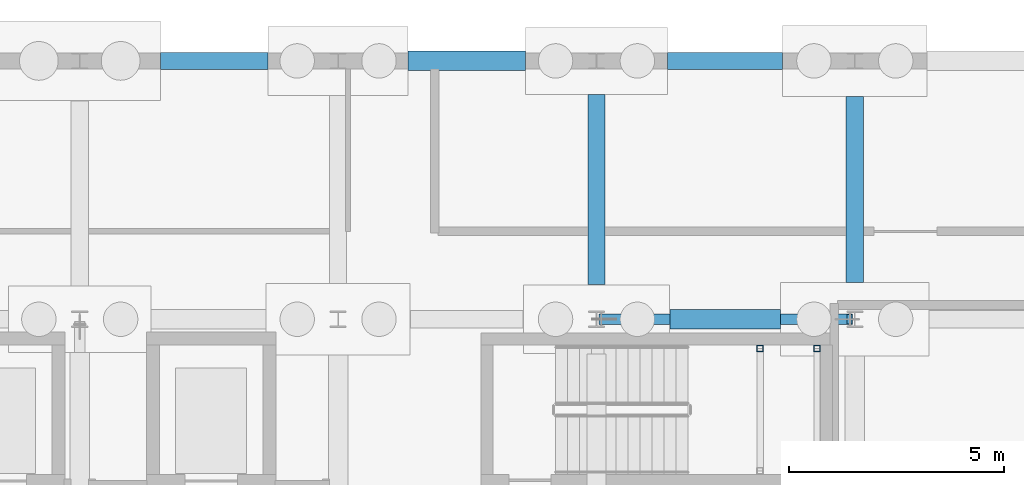
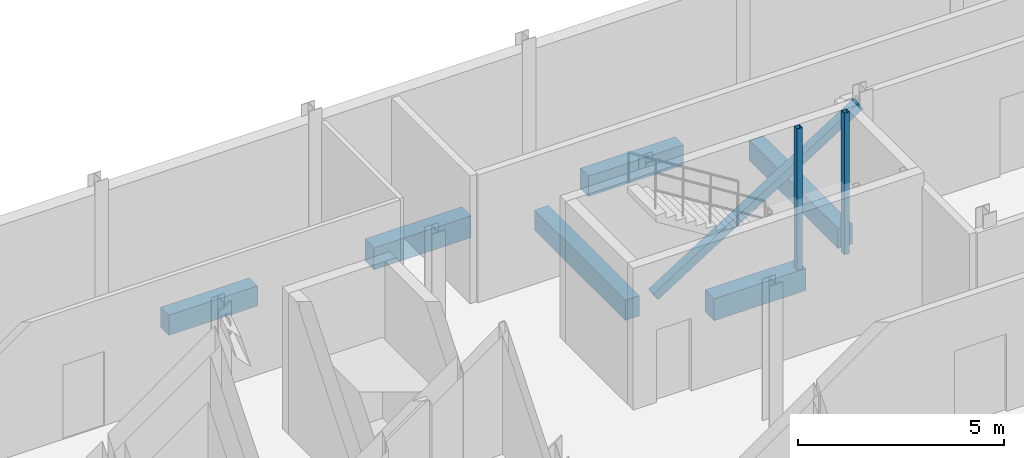
# One storey, part 6 of 12: 6 beams, 3 members.
"""IFC4 building model written with IfcOpenShell, lengths in metres."""

from ifc_helpers import new_model, si_unit, direction, frame, origin, origin_2d, place, context, subcontext, project, spatial, rectangle, hollow_rectangle, extrude, material, material_profile, profile_set, type_object, element, save


model = new_model("IFC4")

# Units and contexts
model_context = context("Model", 3, precision=1e-05, world=origin(), true_north=direction((0.0, 1.0)))
body_context = subcontext(model_context, "Body", "Model", "MODEL_VIEW")
ifc_project = project(units=[si_unit("LENGTHUNIT", "METRE"), si_unit("AREAUNIT", "SQUARE_METRE"), si_unit("VOLUMEUNIT", "CUBIC_METRE"), si_unit("PLANEANGLEUNIT", "RADIAN"), si_unit("MASSUNIT", "GRAM", prefix="KILO")], contexts=[model_context])

# Site, building, storey
site_placement = place(None, origin())
site = spatial("IfcSite", under=ifc_project, at=site_placement, CompositionType="ELEMENT")
building_placement = place(site_placement, origin())
building = spatial("IfcBuilding", under=site, at=building_placement, Name="Siltcreek Boulevard Central Fire Station", CompositionType="ELEMENT")
storey_placement = place(building_placement, frame((0.0, 0.0, -4.199951171875)))
storey = spatial("IfcBuildingStorey", under=building, at=storey_placement, Name="B01", CompositionType="ELEMENT", Elevation=-4.199951171875)

# Members
ifc_material_1 = material(Name="Structural steel ASTM A500 GrC", Category="steel")
ifc_material_profile_1 = material_profile(ifc_material_1, hollow_rectangle(XDim=0.14990234375, YDim=0.14990234375, WallThickness=0.008056640625, at=origin_2d()), Name="HSS150X150X8.0")
ifc_profile_set_1 = profile_set([ifc_material_profile_1], Name="Structural steel ASTM A500 GrC")
member_type_1 = type_object("IfcMemberType", Name="BR_HSS150_8", PredefinedType="BRACE", material=ifc_profile_set_1)
for number, where, z_axis, x_axis, name in (
    (1, (152.0, 105.52001953125, 0.0), (0.0, 0.0, 1.0), (1.0, 0.0, 0.0), "B01 ST-V5B stair landing corner post NW"),
    (2, (153.320068359375, 105.52001953125, 0.0), (0.0, 0.0, 1.0), (1.0, 0.0, 0.0), "B01 ST-V5B stair landing corner post NE"),
):
    element("IfcMember", number, at=place(storey_placement, frame(where, z_axis=z_axis, x_axis=x_axis)), inside=storey, type_object=member_type_1, Name=name, PredefinedType="BRACE", context=body_context, shape_type="SweptSolid", body=[
        extrude(hollow_rectangle(XDim=0.14990234375, YDim=0.14990234375, WallThickness=0.008056640625, at=origin_2d()), origin(), (0.0, 0.0, 1.0), 4.199951171875),
    ])
ifc_material_profile_2 = material_profile(ifc_material_1, hollow_rectangle(XDim=0.25, YDim=0.25, WallThickness=0.012451171875, at=origin_2d()), Name="HSS250X250X12.5")
ifc_profile_set_2 = profile_set([ifc_material_profile_2], Name="Structural steel ASTM A500 GrC")
member_type_2 = type_object("IfcMemberType", Name="BR_HSS250_12", PredefinedType="BRACE", material=ifc_profile_set_2)
member_placement = place(storey_placement, frame((148.320068359375, 106.199951171875, 0.099853515625), z_axis=(0.844677172169, 0.0, 0.535276073458), x_axis=(0.0, 1.0, 0.0)))
element("IfcMember", 3, at=member_placement, inside=storey, type_object=member_type_2, Name="B01 buckling-restrained brace BR-025", PredefinedType="BRACE", context=body_context, shape_type="SweptSolid", body=[
    extrude(hollow_rectangle(XDim=0.25, YDim=0.25, WallThickness=0.012451171875, at=origin_2d()), origin(), (0.0, 0.0, 1.0), 6.819091796875),
])

# Beams
ifc_material_2 = material(Name="Concrete C35/45", Category="concrete")
ifc_material_profile_3 = material_profile(ifc_material_2, rectangle(XDim=0.39990234375, YDim=0.60009765625, at=origin_2d()), Name="RC400X600")
ifc_profile_set_3 = profile_set([ifc_material_profile_3], Name="Concrete C35/45")
beam_type_1 = type_object("IfcBeamType", Name="GB_RC400X600", PredefinedType="USERDEFINED", material=ifc_profile_set_3)
beam_1_placement = place(storey_placement, frame((138.076904296875, 112.199951171875, -0.75), z_axis=(1.0, 0.0, 0.0), x_axis=(0.0, 1.0, 0.0)))
element("IfcBeam", 4, at=beam_1_placement, inside=storey, type_object=beam_type_1, Name="Reinforced concrete tie grade beam GB-261", ObjectType="GRADE BEAM", PredefinedType="USERDEFINED", context=body_context, shape_type="SweptSolid", body=[
    extrude(rectangle(XDim=0.39990234375, YDim=0.60009765625, at=origin_2d()), origin(), (0.0, 0.0, 1.0), 2.49609375),
])
beam_2_placement = place(storey_placement, frame((149.85205078125, 112.199951171875, -0.75), z_axis=(1.0, 0.0, 0.0), x_axis=(0.0, 1.0, 0.0)))
element("IfcBeam", 5, at=beam_2_placement, inside=storey, type_object=beam_type_1, Name="Reinforced concrete tie grade beam GB-263", ObjectType="GRADE BEAM", PredefinedType="USERDEFINED", context=body_context, shape_type="SweptSolid", body=[
    extrude(rectangle(XDim=0.39990234375, YDim=0.60009765625, at=origin_2d()), origin(), (0.0, 0.0, 1.0), 2.6708984375),
])
beam_3_placement = place(storey_placement, frame((148.199951171875, 107.001953125, -0.75), z_axis=(0.0, 1.0, 0.0), x_axis=(-1.0, 0.0, 0.0)))
element("IfcBeam", 6, at=beam_3_placement, inside=storey, type_object=beam_type_1, Name="Reinforced concrete tie grade beam GB-285", ObjectType="GRADE BEAM", PredefinedType="USERDEFINED", context=body_context, shape_type="SweptSolid", body=[
    extrude(rectangle(XDim=0.39990234375, YDim=0.60009765625, at=origin_2d()), origin(), (0.0, 0.0, 1.0), 4.421142578125),
])
beam_4_placement = place(storey_placement, frame((154.199951171875, 107.052001953125, -0.75), z_axis=(0.0, 1.0, 0.0), x_axis=(-1.0, 0.0, 0.0)))
element("IfcBeam", 7, at=beam_4_placement, inside=storey, type_object=beam_type_1, Name="Reinforced concrete tie grade beam GB-289", ObjectType="GRADE BEAM", PredefinedType="USERDEFINED", context=body_context, shape_type="SweptSolid", body=[
    extrude(rectangle(XDim=0.39990234375, YDim=0.60009765625, at=origin_2d()), origin(), (0.0, 0.0, 1.0), 4.321044921875),
])
ifc_material_profile_4 = material_profile(ifc_material_2, rectangle(XDim=0.449951171875, YDim=0.64990234375, at=origin_2d()), Name="RC450X650")
ifc_profile_set_4 = profile_set([ifc_material_profile_4], Name="Concrete C35/45")
beam_type_2 = type_object("IfcBeamType", Name="GB_RC450X650", PredefinedType="USERDEFINED", material=ifc_profile_set_4)
beam_5_placement = place(storey_placement, frame((149.902099609375, 106.199951171875, -0.775146484375), z_axis=(1.0, 0.0, 0.0), x_axis=(0.0, 1.0, 0.0)))
element("IfcBeam", 8, at=beam_5_placement, inside=storey, type_object=beam_type_2, Name="Reinforced concrete tie grade beam GB-256", ObjectType="GRADE BEAM", PredefinedType="USERDEFINED", context=body_context, shape_type="SweptSolid", body=[
    extrude(rectangle(XDim=0.449951171875, YDim=0.64990234375, at=origin_2d()), origin(), (0.0, 0.0, 1.0), 2.57080078125),
])
beam_6_placement = place(storey_placement, frame((143.826904296875, 112.199951171875, -0.775146484375), z_axis=(1.0, 0.0, 0.0), x_axis=(0.0, 1.0, 0.0)))
element("IfcBeam", 9, at=beam_6_placement, inside=storey, type_object=beam_type_2, Name="Reinforced concrete tie grade beam GB-262", ObjectType="GRADE BEAM", PredefinedType="USERDEFINED", context=body_context, shape_type="SweptSolid", body=[
    extrude(rectangle(XDim=0.449951171875, YDim=0.64990234375, at=origin_2d()), origin(), (0.0, 0.0, 1.0), 2.72119140625),
])

save(model, "model.ifc")
